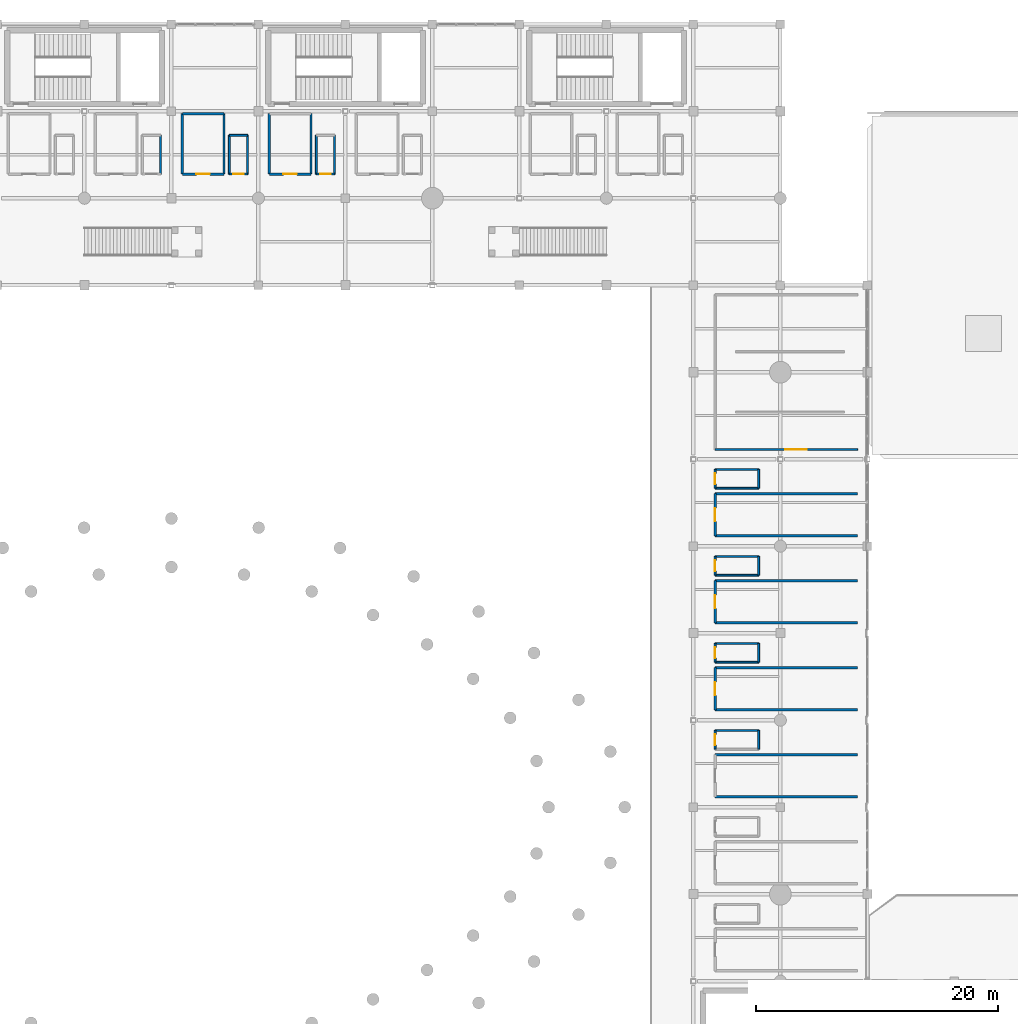
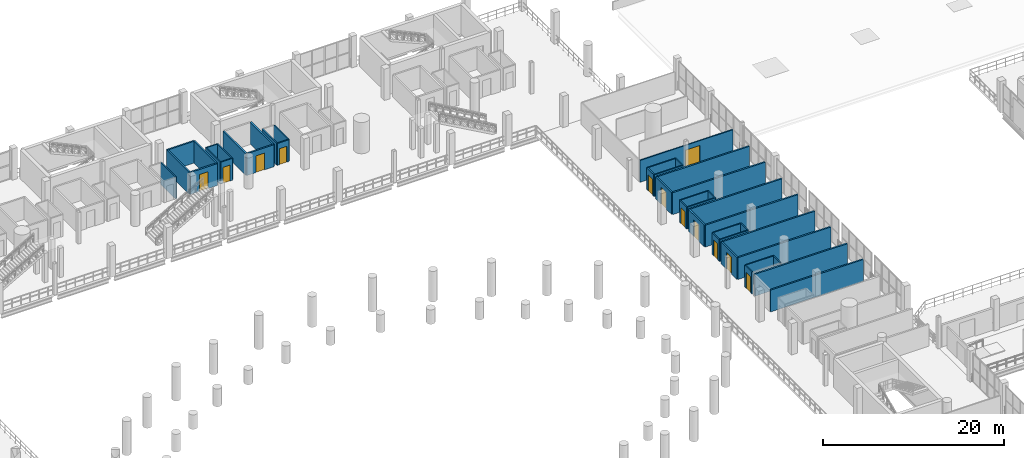
# One storey, part 109 of 130: 42 walls, 12 doors, 12 openings.
"""IFC4 building model written with IfcOpenShell, lengths in metres."""

import ifcopenshell
import ifcopenshell.guid

model = None  # the IFC model being written
_history = None  # IfcOwnerHistory: only IFC2X3 demands one
_inside = {}  # id of a spatial element -> (the spatial element, [elements in it])
_under = {}  # id of a project, library or spatial element -> (it, [spatial elements below it])
_declared = {}  # id of a project -> (the project, [libraries it declares])
_typed = {}  # id of a type object -> (the type object, [elements of that type])
_made_of = {}  # id of a material, layer set ... -> (it, [elements and type objects made of it])


def new_model(schema):
    """Start an empty IFC model of exactly this schema.

    Asked for "IFC4X3", IfcOpenShell would pick the latest addendum, in which some entities
    have other attributes; the version numbers below select the first issue.
    IFC2X3 requires an IfcOwnerHistory on every rooted entity: one is made here for all.
    """
    global model, _history
    if schema == "IFC4X3":
        model = ifcopenshell.file(schema_version=(4, 3, 0, 0))
    else:
        model = ifcopenshell.file(schema=schema)
    _inside.clear()
    _under.clear()
    _declared.clear()
    _typed.clear()
    _made_of.clear()
    _history = None
    if model.schema == "IFC2X3":
        org = make("IfcOrganization", Name="unknown")
        user = make(
            "IfcPersonAndOrganization",
            ThePerson=make("IfcPerson", FamilyName="unknown"),
            TheOrganization=org,
        )
        app = make(
            "IfcApplication",
            ApplicationDeveloper=org,
            Version="unknown",
            ApplicationFullName="unknown",
            ApplicationIdentifier="unknown",
        )
        _history = make(
            "IfcOwnerHistory",
            OwningUser=user,
            OwningApplication=app,
            ChangeAction="ADDED",
            CreationDate=0,
        )
    return model


def make(cls, **values):
    """One entity of the class cls with the attributes given. An attribute that is None is left unset."""
    return model.create_entity(
        cls, **{name: value for name, value in values.items() if value is not None}
    )


def rooted(cls, **values):
    """An entity with a GlobalId (a new one), such as an element, a storey or a relation."""
    return make(cls, GlobalId=ifcopenshell.guid.new(), OwnerHistory=_history, **values)


def si_unit(unit_type, name, prefix=None):
    """IfcSIUnit, for example si_unit("LENGTHUNIT", "METRE", prefix="MILLI")."""
    return make("IfcSIUnit", UnitType=unit_type, Prefix=prefix, Name=name)


def assignment(units):
    """IfcUnitAssignment: the units of a project."""
    return None if units is None else make("IfcUnitAssignment", Units=units)


def point(xyz):
    """IfcCartesianPoint."""
    return None if xyz is None else make("IfcCartesianPoint", Coordinates=xyz)


def direction(xyz):
    """IfcDirection."""
    return None if xyz is None else make("IfcDirection", DirectionRatios=xyz)


def frame(location, z_axis=None, x_axis=None):
    """IfcAxis2Placement3D, a coordinate frame: its origin and axes. An axis left out is left unset."""
    return make(
        "IfcAxis2Placement3D",
        Location=point(location),
        Axis=direction(z_axis),
        RefDirection=direction(x_axis),
    )


def frame_2d(location, x_axis=None):
    """IfcAxis2Placement2D, a coordinate frame in the plane: its origin and x axis."""
    return make(
        "IfcAxis2Placement2D", Location=point(location), RefDirection=direction(x_axis)
    )


def origin():
    """The frame at (0, 0, 0) with its axes left unset."""
    return frame((0.0, 0.0, 0.0))


def place(relative_to, where):
    """IfcLocalPlacement: puts the frame where relative to a parent placement (None: the world)."""
    return make(
        "IfcLocalPlacement", PlacementRelTo=relative_to, RelativePlacement=where
    )


def context(
    kind, dimensions, precision=None, world=None, true_north=None, identifier=None
):
    """IfcGeometricRepresentationContext, for example the 3D "Model" context."""
    return make(
        "IfcGeometricRepresentationContext",
        ContextIdentifier=identifier,
        ContextType=kind,
        CoordinateSpaceDimension=dimensions,
        Precision=precision,
        WorldCoordinateSystem=world,
        TrueNorth=true_north,
    )


def subcontext(parent, identifier, kind, view, scale=None):
    """IfcGeometricRepresentationSubContext, for example "Body" below "Model"."""
    return make(
        "IfcGeometricRepresentationSubContext",
        ContextIdentifier=identifier,
        ContextType=kind,
        ParentContext=parent,
        TargetScale=scale,
        TargetView=view,
    )


def project(units=None, contexts=None):
    """IfcProject with its units and contexts."""
    return rooted(
        "IfcProject",
        Name="project",
        RepresentationContexts=contexts,
        UnitsInContext=assignment(units),
    )


def spatial(cls, under=None, at=None, **own):
    """A site, building, storey or space (cls), placed at a placement, below another one or the project."""
    s = rooted(cls, ObjectPlacement=at, **own)
    if under is not None:
        _under.setdefault(under.id(), (under, []))[1].append(s)
    return s


def profile(cls, at=None, kind="AREA", **sizes):
    """A parametric profile (cls). Its sizes go by their IFC names, for example OverallWidth=200.0."""
    return make(cls, ProfileType=kind, Position=at, **sizes)


def rectangle(**sizes):
    """IfcRectangleProfileDef."""
    return profile("IfcRectangleProfileDef", **sizes)


def extrude(swept, where, along, depth):
    """IfcExtrudedAreaSolid: the profile swept, set in the frame where, extruded along a direction by depth."""
    return make(
        "IfcExtrudedAreaSolid",
        SweptArea=swept,
        Position=where,
        ExtrudedDirection=direction(along),
        Depth=depth,
    )


def shape(context_of_items, identifier, shape_type, items):
    """IfcShapeRepresentation: the items that make up one representation, for example the "Body"."""
    return make(
        "IfcShapeRepresentation",
        ContextOfItems=context_of_items,
        RepresentationIdentifier=identifier,
        RepresentationType=shape_type,
        Items=items,
    )


def material(Name=None, Category=None):
    """IfcMaterial."""
    return make("IfcMaterial", Name=Name, Category=Category)


def layer(
    of_material, thickness, ventilated=None, Name=None, Category=None, Priority=None
):
    """IfcMaterialLayer: one layer of a wall or slab, of a material (None: an air gap)."""
    return make(
        "IfcMaterialLayer",
        Material=of_material,
        LayerThickness=thickness,
        IsVentilated=ventilated,
        Name=Name,
        Category=Category,
        Priority=Priority,
    )


def layer_set(layers, Name=None):
    """IfcMaterialLayerSet."""
    return make("IfcMaterialLayerSet", MaterialLayers=layers, LayerSetName=Name)


def made_of(thing, what):
    """Note that an element or type object is made of a material, layer set ...; save() writes the relation."""
    if what is not None:
        _made_of.setdefault(what.id(), (what, []))[1].append(thing)
    return thing


def type_object(cls, material=None, **own):
    """A type object (cls), such as IfcWallType, which elements share."""
    return made_of(rooted(cls, **own), material)


def element(
    cls,
    number,
    at=None,
    inside=None,
    cuts=None,
    type_object=None,
    material=None,
    context=None,
    identifier="Body",
    shape_type=None,
    held_by="IfcProductDefinitionShape",
    body=None,
    shapes=None,
    **own,
):
    """One element of the class cls, such as IfcWall. Its Tag is "e" and its number.

    at: its placement. inside: the storey or other place that contains it. cuts: it is an
    opening in that element (IfcRelVoidsElement). A single representation is given by context,
    identifier, shape_type and body (its items); several are given by shapes. held_by: the class
    of the entity that holds the representations. save() writes the other relations.
    """
    e = rooted(cls, Tag="e%d" % number, ObjectPlacement=at, **own)
    if body is not None:
        shapes = [shape(context, identifier, shape_type, body)]
    if shapes is not None:
        e.Representation = make(held_by, Representations=shapes)
    if inside is not None:
        _inside.setdefault(inside.id(), (inside, []))[1].append(e)
    if cuts is not None:
        rooted(
            "IfcRelVoidsElement", RelatingBuildingElement=cuts, RelatedOpeningElement=e
        )
    if type_object is not None:
        _typed.setdefault(type_object.id(), (type_object, []))[1].append(e)
    return made_of(e, material)


def fill(opening, filler):
    """IfcRelFillsElement: the door or window that sits in an opening."""
    return rooted(
        "IfcRelFillsElement",
        RelatingOpeningElement=opening,
        RelatedBuildingElement=filler,
    )


def aggregate(whole, parts):
    """IfcRelAggregates: a whole, such as a stair, and the parts it consists of."""
    return rooted("IfcRelAggregates", RelatingObject=whole, RelatedObjects=parts)


def save(model, path):
    """Write the relations noted so far, then the file.

    IfcRelAggregates (storeys below a building ...), IfcRelContainedInSpatialStructure (elements
    in a storey), IfcRelDefinesByType, IfcRelAssociatesMaterial and IfcRelDeclares: one each for
    every whole, place, type object, material and project.
    """
    for whole, parts in _under.values():
        aggregate(whole, parts)
    for where, things in _inside.values():
        rooted(
            "IfcRelContainedInSpatialStructure",
            RelatedElements=things,
            RelatingStructure=where,
        )
    for kind, things in _typed.values():
        rooted("IfcRelDefinesByType", RelatedObjects=things, RelatingType=kind)
    for what, things in _made_of.values():
        rooted("IfcRelAssociatesMaterial", RelatedObjects=things, RelatingMaterial=what)
    for by, libraries in _declared.values():
        rooted("IfcRelDeclares", RelatingContext=by, RelatedDefinitions=libraries)
    model.write(path)


model = new_model("IFC4")

# Units and contexts
model_context = context("Model", 3, precision=1e-05, world=origin(), true_north=direction((0.0, 1.0)))
body_context = subcontext(model_context, "Body", "Model", "MODEL_VIEW")
ifc_project = project(units=[si_unit("LENGTHUNIT", "METRE"), si_unit("AREAUNIT", "SQUARE_METRE"), si_unit("VOLUMEUNIT", "CUBIC_METRE"), si_unit("PLANEANGLEUNIT", "RADIAN"), si_unit("MASSUNIT", "GRAM", prefix="KILO")], contexts=[model_context])

# Site, building, storey
site_placement = place(None, origin())
site = spatial("IfcSite", under=ifc_project, at=site_placement, CompositionType="ELEMENT")
building_placement = place(site_placement, origin())
building = spatial("IfcBuilding", under=site, at=building_placement, Name="Qandorah Velis Arena", CompositionType="ELEMENT")
storey_placement = place(building_placement, frame((0.0, 0.0, 9.60009765625)))
storey = spatial("IfcBuildingStorey", under=building, at=storey_placement, Name="L02", CompositionType="ELEMENT", Elevation=9.60009765625)

# Wall, opening, door
ifc_material_1 = material(Name="Concrete C35/45", Category="concrete")
ifc_layer_1 = layer(ifc_material_1, 0.199951171875)
ifc_layer_set_1 = layer_set([ifc_layer_1], Name="Concrete C35/45")
wall_type_1 = type_object("IfcWallType", Name="ARC-WAL-FD60-200", PredefinedType="PARTITIONING", material=ifc_layer_set_1)
wall_1_placement = place(storey_placement, frame((65.699951171875, 117.199951171875, 0.0), z_axis=(0.0, 0.0, 1.0), x_axis=(1.0, 0.0, 0.0)))
wall_1 = element("IfcWall", 1, at=wall_1_placement, inside=storey, type_object=wall_type_1, Name="Interior partition L02-HS-22 (S)", PredefinedType="PARTITIONING", context=body_context, shape_type="SweptSolid", body=[
    extrude(rectangle(XDim=3.449951171875, YDim=0.199951171875, at=frame_2d((1.72509765625, 0.0))), origin(), (0.0, 0.0, 1.0), 2.93994140625),
])
opening_1_placement = place(wall_1_placement, frame((1.175048828125, 0.0, 0.0)))
opening_1 = element("IfcOpeningElement", 2, at=opening_1_placement, cuts=wall_1, Name="Opening D7", PredefinedType="OPENING", context=body_context, shape_type="SweptSolid", body=[
    extrude(rectangle(XDim=1.10009765625, YDim=2.25, at=frame_2d((0.550048828125, 1.125))), frame((0.0, 0.10986328125, 0.0), z_axis=(0.0, -1.0, 0.0), x_axis=(1.0, 0.0, 0.0)), (0.0, 0.0, 1.0), 0.219970703125),
])
ifc_material_2 = material(Name="Hospitality suite acoustic walnut door")
door_type_1 = type_object("IfcDoorType", Name="ARC-DR-INT1100", OperationType="NOTDEFINED", PredefinedType="DOOR", material=ifc_material_2)
door_1_placement = place(opening_1_placement, origin())
door_1 = element("IfcDoor", 3, at=door_1_placement, inside=storey, type_object=door_type_1, Name="Door L02-HS-22", OperationType="SINGLE_SWING_LEFT", OverallHeight=2.25, OverallWidth=1.10009765625, PredefinedType="DOOR", context=body_context, shape_type="SweptSolid", body=[
    extrude(rectangle(XDim=1.10009765625, YDim=2.25, at=frame_2d((0.550048828125, 1.125))), frame((0.0, 0.02490234375, 0.0), z_axis=(0.0, -1.0, 0.0), x_axis=(1.0, 0.0, 0.0)), (0.0, 0.0, 1.0), 0.050048828125),
])
fill(opening_1, door_1)

# Walls
wall_2_placement = place(storey_placement, frame((69.14990234375, 117.199951171875, 0.0), z_axis=(0.0, 0.0, 1.0), x_axis=(0.0, 1.0, 0.0)))
element("IfcWall", 4, at=wall_2_placement, inside=storey, type_object=wall_type_1, Name="Interior partition L02-HS-22 (E)", PredefinedType="PARTITIONING", context=body_context, shape_type="SweptSolid", body=[
    extrude(rectangle(XDim=5.0, YDim=0.199951171875, at=frame_2d((2.5, 0.0))), origin(), (0.0, 0.0, 1.0), 2.93994140625),
])
wall_3_placement = place(storey_placement, frame((69.14990234375, 122.199951171875, 0.0), z_axis=(0.0, 0.0, 1.0), x_axis=(-1.0, 0.0, 0.0)))
element("IfcWall", 5, at=wall_3_placement, inside=storey, type_object=wall_type_1, Name="Interior partition L02-HS-22 (N)", PredefinedType="PARTITIONING", context=body_context, shape_type="SweptSolid", body=[
    extrude(rectangle(XDim=3.449951171875, YDim=0.199951171875, at=frame_2d((1.72509765625, 0.0))), origin(), (0.0, 0.0, 1.0), 2.93994140625),
])
wall_4_placement = place(storey_placement, frame((65.699951171875, 122.199951171875, 0.0), z_axis=(0.0, 0.0, 1.0), x_axis=(0.0, -1.0, 0.0)))
element("IfcWall", 6, at=wall_4_placement, inside=storey, type_object=wall_type_1, Name="Interior partition L02-HS-22 (W)", PredefinedType="PARTITIONING", context=body_context, shape_type="SweptSolid", body=[
    extrude(rectangle(XDim=5.0, YDim=0.199951171875, at=frame_2d((2.5, 0.0))), origin(), (0.0, 0.0, 1.0), 2.93994140625),
])

# Wall, opening, door
wall_5_placement = place(storey_placement, frame((72.89990234375, 117.199951171875, 0.0), z_axis=(0.0, 0.0, 1.0), x_axis=(1.0, 0.0, 0.0)))
wall_5 = element("IfcWall", 7, at=wall_5_placement, inside=storey, type_object=wall_type_1, Name="Interior partition L02-HS-23 (S)", PredefinedType="PARTITIONING", context=body_context, shape_type="SweptSolid", body=[
    extrude(rectangle(XDim=3.4501953125, YDim=0.199951171875, at=frame_2d((1.72509765625, 0.0))), origin(), (0.0, 0.0, 1.0), 2.93994140625),
])
opening_2_placement = place(wall_5_placement, frame((1.175048828125, 0.0, 0.0)))
opening_2 = element("IfcOpeningElement", 8, at=opening_2_placement, cuts=wall_5, Name="Opening D7", PredefinedType="OPENING", context=body_context, shape_type="SweptSolid", body=[
    extrude(rectangle(XDim=1.10009765625, YDim=2.25, at=frame_2d((0.550048828125, 1.125))), frame((0.0, 0.10986328125, 0.0), z_axis=(0.0, -1.0, 0.0), x_axis=(1.0, 0.0, 0.0)), (0.0, 0.0, 1.0), 0.219970703125),
])
door_2_placement = place(opening_2_placement, origin())
door_2 = element("IfcDoor", 9, at=door_2_placement, inside=storey, type_object=door_type_1, Name="Door L02-HS-23", OperationType="SINGLE_SWING_LEFT", OverallHeight=2.25, OverallWidth=1.10009765625, PredefinedType="DOOR", context=body_context, shape_type="SweptSolid", body=[
    extrude(rectangle(XDim=1.10009765625, YDim=2.25, at=frame_2d((0.550048828125, 1.125))), frame((0.0, 0.02490234375, 0.0), z_axis=(0.0, -1.0, 0.0), x_axis=(1.0, 0.0, 0.0)), (0.0, 0.0, 1.0), 0.050048828125),
])
fill(opening_2, door_2)

# Walls
for number, where, z_axis, x_axis, name in (
    (10, (76.35009765625, 117.199951171875, 0.0), (0.0, 0.0, 1.0), (0.0, 1.0, 0.0), "Interior partition L02-HS-23 (E)"),
    (11, (72.89990234375, 122.199951171875, 0.0), (0.0, 0.0, 1.0), (0.0, -1.0, 0.0), "Interior partition L02-HS-23 (W)"),
):
    element("IfcWall", number, at=place(storey_placement, frame(where, z_axis=z_axis, x_axis=x_axis)), inside=storey, type_object=wall_type_1, Name=name, PredefinedType="PARTITIONING", context=body_context, shape_type="SweptSolid", body=[
        extrude(rectangle(XDim=5.0, YDim=0.199951171875, at=frame_2d((2.5, 0.0))), origin(), (0.0, 0.0, 1.0), 2.93994140625),
    ])
for number, where, z_axis, x_axis, name in (
    (12, (109.800048828125, 65.64990234375, 0.0), (0.0, 0.0, 1.0), (1.0, 0.0, 0.0), "Interior partition L02-HS-29 (S)"),
    (13, (121.60009765625, 69.14990234375, 0.0), (0.0, 0.0, 1.0), (-1.0, 0.0, 0.0), "Interior partition L02-HS-29 (N)"),
    (14, (109.800048828125, 72.85009765625, 0.0), (0.0, 0.0, 1.0), (1.0, 0.0, 0.0), "Interior partition L02-HS-30 (S)"),
    (15, (121.60009765625, 76.35009765625, 0.0), (0.0, 0.0, 1.0), (-1.0, 0.0, 0.0), "Interior partition L02-HS-30 (N)"),
):
    element("IfcWall", number, at=place(storey_placement, frame(where, z_axis=z_axis, x_axis=x_axis)), inside=storey, type_object=wall_type_1, Name=name, PredefinedType="PARTITIONING", context=body_context, shape_type="SweptSolid", body=[
        extrude(rectangle(XDim=11.800048828125, YDim=0.199951171875, at=frame_2d((5.89990234375, 0.0))), origin(), (0.0, 0.0, 1.0), 2.93994140625),
    ])

# Wall, opening, door
wall_6_placement = place(storey_placement, frame((109.800048828125, 76.35009765625, 0.0), z_axis=(0.0, 0.0, 1.0), x_axis=(0.0, -1.0, 0.0)))
wall_6 = element("IfcWall", 16, at=wall_6_placement, inside=storey, type_object=wall_type_1, Name="Interior partition L02-HS-30 (W)", PredefinedType="PARTITIONING", context=body_context, shape_type="SweptSolid", body=[
    extrude(rectangle(XDim=3.5, YDim=0.199951171875, at=frame_2d((1.75, 0.0))), origin(), (0.0, 0.0, 1.0), 2.93994140625),
])
opening_3_placement = place(wall_6_placement, frame((1.199951171875, 0.0, 0.0)))
opening_3 = element("IfcOpeningElement", 17, at=opening_3_placement, cuts=wall_6, Name="Opening D7", PredefinedType="OPENING", context=body_context, shape_type="SweptSolid", body=[
    extrude(rectangle(XDim=1.10009765625, YDim=2.25, at=frame_2d((0.550048828125, 1.125))), frame((0.0, 0.10986328125, 0.0), z_axis=(0.0, -1.0, 0.0), x_axis=(1.0, 0.0, 0.0)), (0.0, 0.0, 1.0), 0.219970703125),
])
door_3_placement = place(opening_3_placement, origin())
door_3 = element("IfcDoor", 18, at=door_3_placement, inside=storey, type_object=door_type_1, Name="Door L02-HS-30", OperationType="SINGLE_SWING_LEFT", OverallHeight=2.25, OverallWidth=1.10009765625, PredefinedType="DOOR", context=body_context, shape_type="SweptSolid", body=[
    extrude(rectangle(XDim=1.10009765625, YDim=2.25, at=frame_2d((0.550048828125, 1.125))), frame((0.0, 0.02490234375, 0.0), z_axis=(0.0, -1.0, 0.0), x_axis=(1.0, 0.0, 0.0)), (0.0, 0.0, 1.0), 0.050048828125),
])
fill(opening_3, door_3)

# Walls
for number, where, z_axis, x_axis, name in (
    (19, (109.800048828125, 80.050048828125, 0.0), (0.0, 0.0, 1.0), (1.0, 0.0, 0.0), "Interior partition L02-HS-31 (S)"),
    (20, (121.60009765625, 83.550048828125, 0.0), (0.0, 0.0, 1.0), (-1.0, 0.0, 0.0), "Interior partition L02-HS-31 (N)"),
):
    element("IfcWall", number, at=place(storey_placement, frame(where, z_axis=z_axis, x_axis=x_axis)), inside=storey, type_object=wall_type_1, Name=name, PredefinedType="PARTITIONING", context=body_context, shape_type="SweptSolid", body=[
        extrude(rectangle(XDim=11.800048828125, YDim=0.199951171875, at=frame_2d((5.89990234375, 0.0))), origin(), (0.0, 0.0, 1.0), 2.93994140625),
    ])

# Wall, opening, door
wall_7_placement = place(storey_placement, frame((109.800048828125, 83.550048828125, 0.0), z_axis=(0.0, 0.0, 1.0), x_axis=(0.0, -1.0, 0.0)))
wall_7 = element("IfcWall", 21, at=wall_7_placement, inside=storey, type_object=wall_type_1, Name="Interior partition L02-HS-31 (W)", PredefinedType="PARTITIONING", context=body_context, shape_type="SweptSolid", body=[
    extrude(rectangle(XDim=3.5, YDim=0.199951171875, at=frame_2d((1.75, 0.0))), origin(), (0.0, 0.0, 1.0), 2.93994140625),
])
opening_4_placement = place(wall_7_placement, frame((1.199951171875, 0.0, 0.0)))
opening_4 = element("IfcOpeningElement", 22, at=opening_4_placement, cuts=wall_7, Name="Opening D7", PredefinedType="OPENING", context=body_context, shape_type="SweptSolid", body=[
    extrude(rectangle(XDim=1.10009765625, YDim=2.25, at=frame_2d((0.550048828125, 1.125))), frame((0.0, 0.10986328125, 0.0), z_axis=(0.0, -1.0, 0.0), x_axis=(1.0, 0.0, 0.0)), (0.0, 0.0, 1.0), 0.219970703125),
])
door_4_placement = place(opening_4_placement, origin())
door_4 = element("IfcDoor", 23, at=door_4_placement, inside=storey, type_object=door_type_1, Name="Door L02-HS-31", OperationType="SINGLE_SWING_LEFT", OverallHeight=2.25, OverallWidth=1.10009765625, PredefinedType="DOOR", context=body_context, shape_type="SweptSolid", body=[
    extrude(rectangle(XDim=1.10009765625, YDim=2.25, at=frame_2d((0.550048828125, 1.125))), frame((0.0, 0.02490234375, 0.0), z_axis=(0.0, -1.0, 0.0), x_axis=(1.0, 0.0, 0.0)), (0.0, 0.0, 1.0), 0.050048828125),
])
fill(opening_4, door_4)

# Walls
for number, where, z_axis, x_axis, name in (
    (24, (109.800048828125, 87.25, 0.0), (0.0, 0.0, 1.0), (1.0, 0.0, 0.0), "Interior partition L02-HS-32 (S)"),
    (25, (121.60009765625, 90.75, 0.0), (0.0, 0.0, 1.0), (-1.0, 0.0, 0.0), "Interior partition L02-HS-32 (N)"),
):
    element("IfcWall", number, at=place(storey_placement, frame(where, z_axis=z_axis, x_axis=x_axis)), inside=storey, type_object=wall_type_1, Name=name, PredefinedType="PARTITIONING", context=body_context, shape_type="SweptSolid", body=[
        extrude(rectangle(XDim=11.800048828125, YDim=0.199951171875, at=frame_2d((5.89990234375, 0.0))), origin(), (0.0, 0.0, 1.0), 2.93994140625),
    ])

# Wall, opening, door
wall_8_placement = place(storey_placement, frame((109.800048828125, 90.75, 0.0), z_axis=(0.0, 0.0, 1.0), x_axis=(0.0, -1.0, 0.0)))
wall_8 = element("IfcWall", 26, at=wall_8_placement, inside=storey, type_object=wall_type_1, Name="Interior partition L02-HS-32 (W)", PredefinedType="PARTITIONING", context=body_context, shape_type="SweptSolid", body=[
    extrude(rectangle(XDim=3.5, YDim=0.199951171875, at=frame_2d((1.75, 0.0))), origin(), (0.0, 0.0, 1.0), 2.93994140625),
])
opening_5_placement = place(wall_8_placement, frame((1.199951171875, 0.0, 0.0)))
opening_5 = element("IfcOpeningElement", 27, at=opening_5_placement, cuts=wall_8, Name="Opening D7", PredefinedType="OPENING", context=body_context, shape_type="SweptSolid", body=[
    extrude(rectangle(XDim=1.10009765625, YDim=2.25, at=frame_2d((0.550048828125, 1.125))), frame((0.0, 0.10986328125, 0.0), z_axis=(0.0, -1.0, 0.0), x_axis=(1.0, 0.0, 0.0)), (0.0, 0.0, 1.0), 0.219970703125),
])
door_5_placement = place(opening_5_placement, origin())
door_5 = element("IfcDoor", 28, at=door_5_placement, inside=storey, type_object=door_type_1, Name="Door L02-HS-32", OperationType="SINGLE_SWING_LEFT", OverallHeight=2.25, OverallWidth=1.10009765625, PredefinedType="DOOR", context=body_context, shape_type="SweptSolid", body=[
    extrude(rectangle(XDim=1.10009765625, YDim=2.25, at=frame_2d((0.550048828125, 1.125))), frame((0.0, 0.02490234375, 0.0), z_axis=(0.0, -1.0, 0.0), x_axis=(1.0, 0.0, 0.0)), (0.0, 0.0, 1.0), 0.050048828125),
])
fill(opening_5, door_5)

ifc_layer_2 = layer(ifc_material_1, 0.14990234375)
ifc_layer_set_2 = layer_set([ifc_layer_2], Name="Concrete C35/45")
wall_type_2 = type_object("IfcWallType", Name="ARC-WAL-PART150", PredefinedType="PARTITIONING", material=ifc_layer_set_2)
wall_9_placement = place(storey_placement, frame((109.800048828125, 94.39990234375, 0.0), z_axis=(0.0, 0.0, 1.0), x_axis=(1.0, 0.0, 0.0)))
wall_9 = element("IfcWall", 29, at=wall_9_placement, inside=storey, type_object=wall_type_2, Name="Interior partition L02-EAST-BANQ (S)", PredefinedType="PARTITIONING", context=body_context, shape_type="SweptSolid", body=[
    extrude(rectangle(XDim=11.800048828125, YDim=0.14990234375, at=frame_2d((5.89990234375, 0.0))), origin(), (0.0, 0.0, 1.0), 2.93994140625),
])
opening_6_placement = place(wall_9_placement, frame((5.800048828125, 0.0, 0.0)))
opening_6 = element("IfcOpeningElement", 30, at=opening_6_placement, cuts=wall_9, Name="Opening D3", PredefinedType="OPENING", context=body_context, shape_type="SweptSolid", body=[
    extrude(rectangle(XDim=1.800048828125, YDim=2.300048828125, at=frame_2d((0.89990234375, 1.14990234375))), frame((0.0, 0.0849609375, 0.0), z_axis=(0.0, -1.0, 0.0), x_axis=(1.0, 0.0, 0.0)), (0.0, 0.0, 1.0), 0.169921875),
])
ifc_material_3 = material(Name="Double-leaf acoustic timber door", Category="wood")
door_type_2 = type_object("IfcDoorType", Name="ARC-DR-DBL1800", OperationType="NOTDEFINED", PredefinedType="DOOR", material=ifc_material_3)
door_6_placement = place(opening_6_placement, frame((1.800048828125, 0.0, 0.0), z_axis=(0.0, 0.0, 1.0), x_axis=(-1.0, 0.0, 0.0)))
door_6 = element("IfcDoor", 31, at=door_6_placement, inside=storey, type_object=door_type_2, Name="Door L02-EAST-BANQ", OperationType="DOUBLE_DOOR_SINGLE_SWING", OverallHeight=2.300048828125, OverallWidth=1.800048828125, PredefinedType="DOOR", context=body_context, shape_type="SweptSolid", body=[
    extrude(rectangle(XDim=1.800048828125, YDim=2.300048828125, at=frame_2d((0.89990234375, 1.14990234375))), frame((0.0, 0.02490234375, 0.0), z_axis=(0.0, -1.0, 0.0), x_axis=(1.0, 0.0, 0.0)), (0.0, 0.0, 1.0), 0.050048828125),
])
fill(opening_6, door_6)

# Wall
wall_10_placement = place(storey_placement, frame((63.89990234375, 117.199951171875, 0.0), z_axis=(0.0, 0.0, 1.0), x_axis=(0.0, 1.0, 0.0)))
element("IfcWall", 32, at=wall_10_placement, inside=storey, type_object=wall_type_2, Name="Interior partition L02-HSWC-21 (E)", PredefinedType="PARTITIONING", context=body_context, shape_type="SweptSolid", body=[
    extrude(rectangle(XDim=3.199951171875, YDim=0.14990234375, at=frame_2d((1.60009765625, 0.0))), origin(), (0.0, 0.0, 1.0), 2.93994140625),
])

# Wall, opening, door
wall_11_placement = place(storey_placement, frame((69.60009765625, 117.199951171875, 0.0), z_axis=(0.0, 0.0, 1.0), x_axis=(1.0, 0.0, 0.0)))
wall_11 = element("IfcWall", 33, at=wall_11_placement, inside=storey, type_object=wall_type_2, Name="Interior partition L02-HSWC-22 (S)", PredefinedType="PARTITIONING", context=body_context, shape_type="SweptSolid", body=[
    extrude(rectangle(XDim=1.5, YDim=0.14990234375, at=frame_2d((0.75, 0.0))), origin(), (0.0, 0.0, 1.0), 2.93994140625),
])
opening_7_placement = place(wall_11_placement, frame((0.300048828125, 0.0, 0.0)))
opening_7 = element("IfcOpeningElement", 34, at=opening_7_placement, cuts=wall_11, Name="Opening D8", PredefinedType="OPENING", context=body_context, shape_type="SweptSolid", body=[
    extrude(rectangle(XDim=0.89990234375, YDim=2.14990234375, at=frame_2d((0.449951171875, 1.074951171875))), frame((0.0, 0.0849609375, 0.0), z_axis=(0.0, -1.0, 0.0), x_axis=(1.0, 0.0, 0.0)), (0.0, 0.0, 1.0), 0.169921875),
])
ifc_material_4 = material(Name="Suite en-suite walnut door")
door_type_3 = type_object("IfcDoorType", Name="ARC-DR-WC900", OperationType="NOTDEFINED", PredefinedType="DOOR", material=ifc_material_4)
door_7_placement = place(opening_7_placement, frame((0.89990234375, 0.0, 0.0), z_axis=(0.0, 0.0, 1.0), x_axis=(-1.0, 0.0, 0.0)))
door_7 = element("IfcDoor", 35, at=door_7_placement, inside=storey, type_object=door_type_3, Name="Door L02-HSWC-22", OperationType="SINGLE_SWING_RIGHT", OverallHeight=2.14990234375, OverallWidth=0.89990234375, PredefinedType="DOOR", context=body_context, shape_type="SweptSolid", body=[
    extrude(rectangle(XDim=0.89990234375, YDim=2.14990234375, at=frame_2d((0.449951171875, 1.074951171875))), frame((0.0, 0.02490234375, 0.0), z_axis=(0.0, -1.0, 0.0), x_axis=(1.0, 0.0, 0.0)), (0.0, 0.0, 1.0), 0.050048828125),
])
fill(opening_7, door_7)

# Walls
wall_12_placement = place(storey_placement, frame((71.10009765625, 117.199951171875, 0.0), z_axis=(0.0, 0.0, 1.0), x_axis=(0.0, 1.0, 0.0)))
element("IfcWall", 36, at=wall_12_placement, inside=storey, type_object=wall_type_2, Name="Interior partition L02-HSWC-22 (E)", PredefinedType="PARTITIONING", context=body_context, shape_type="SweptSolid", body=[
    extrude(rectangle(XDim=3.199951171875, YDim=0.14990234375, at=frame_2d((1.60009765625, 0.0))), origin(), (0.0, 0.0, 1.0), 2.93994140625),
])
wall_13_placement = place(storey_placement, frame((71.10009765625, 120.39990234375, 0.0), z_axis=(0.0, 0.0, 1.0), x_axis=(-1.0, 0.0, 0.0)))
element("IfcWall", 37, at=wall_13_placement, inside=storey, type_object=wall_type_2, Name="Interior partition L02-HSWC-22 (N)", PredefinedType="PARTITIONING", context=body_context, shape_type="SweptSolid", body=[
    extrude(rectangle(XDim=1.5, YDim=0.14990234375, at=frame_2d((0.75, 0.0))), origin(), (0.0, 0.0, 1.0), 2.93994140625),
])
wall_14_placement = place(storey_placement, frame((69.60009765625, 120.39990234375, 0.0), z_axis=(0.0, 0.0, 1.0), x_axis=(0.0, -1.0, 0.0)))
element("IfcWall", 38, at=wall_14_placement, inside=storey, type_object=wall_type_2, Name="Interior partition L02-HSWC-22 (W)", PredefinedType="PARTITIONING", context=body_context, shape_type="SweptSolid", body=[
    extrude(rectangle(XDim=3.199951171875, YDim=0.14990234375, at=frame_2d((1.60009765625, 0.0))), origin(), (0.0, 0.0, 1.0), 2.93994140625),
])

# Wall, opening, door
wall_15_placement = place(storey_placement, frame((76.800048828125, 117.199951171875, 0.0), z_axis=(0.0, 0.0, 1.0), x_axis=(1.0, 0.0, 0.0)))
wall_15 = element("IfcWall", 39, at=wall_15_placement, inside=storey, type_object=wall_type_2, Name="Interior partition L02-HSWC-23 (S)", PredefinedType="PARTITIONING", context=body_context, shape_type="SweptSolid", body=[
    extrude(rectangle(XDim=1.5, YDim=0.14990234375, at=frame_2d((0.75, 0.0))), origin(), (0.0, 0.0, 1.0), 2.93994140625),
])
opening_8_placement = place(wall_15_placement, frame((0.300048828125, 0.0, 0.0)))
opening_8 = element("IfcOpeningElement", 40, at=opening_8_placement, cuts=wall_15, Name="Opening D8", PredefinedType="OPENING", context=body_context, shape_type="SweptSolid", body=[
    extrude(rectangle(XDim=0.89990234375, YDim=2.14990234375, at=frame_2d((0.449951171875, 1.074951171875))), frame((0.0, 0.0849609375, 0.0), z_axis=(0.0, -1.0, 0.0), x_axis=(1.0, 0.0, 0.0)), (0.0, 0.0, 1.0), 0.169921875),
])
door_8_placement = place(opening_8_placement, frame((0.89990234375, 0.0, 0.0), z_axis=(0.0, 0.0, 1.0), x_axis=(-1.0, 0.0, 0.0)))
door_8 = element("IfcDoor", 41, at=door_8_placement, inside=storey, type_object=door_type_3, Name="Door L02-HSWC-23", OperationType="SINGLE_SWING_RIGHT", OverallHeight=2.14990234375, OverallWidth=0.89990234375, PredefinedType="DOOR", context=body_context, shape_type="SweptSolid", body=[
    extrude(rectangle(XDim=0.89990234375, YDim=2.14990234375, at=frame_2d((0.449951171875, 1.074951171875))), frame((0.0, 0.02490234375, 0.0), z_axis=(0.0, -1.0, 0.0), x_axis=(1.0, 0.0, 0.0)), (0.0, 0.0, 1.0), 0.050048828125),
])
fill(opening_8, door_8)

# Walls
for number, where, z_axis, x_axis, name in (
    (42, (78.300048828125, 117.199951171875, 0.0), (0.0, 0.0, 1.0), (0.0, 1.0, 0.0), "Interior partition L02-HSWC-23 (E)"),
    (43, (76.800048828125, 120.39990234375, 0.0), (0.0, 0.0, 1.0), (0.0, -1.0, 0.0), "Interior partition L02-HSWC-23 (W)"),
):
    element("IfcWall", number, at=place(storey_placement, frame(where, z_axis=z_axis, x_axis=x_axis)), inside=storey, type_object=wall_type_2, Name=name, PredefinedType="PARTITIONING", context=body_context, shape_type="SweptSolid", body=[
        extrude(rectangle(XDim=3.199951171875, YDim=0.14990234375, at=frame_2d((1.60009765625, 0.0))), origin(), (0.0, 0.0, 1.0), 2.93994140625),
    ])
wall_16_placement = place(storey_placement, frame((113.39990234375, 69.60009765625, 0.0), z_axis=(0.0, 0.0, 1.0), x_axis=(0.0, 1.0, 0.0)))
element("IfcWall", 44, at=wall_16_placement, inside=storey, type_object=wall_type_2, Name="Interior partition L02-HSWC-29 (E)", PredefinedType="PARTITIONING", context=body_context, shape_type="SweptSolid", body=[
    extrude(rectangle(XDim=1.5498046875, YDim=0.14990234375, at=frame_2d((0.77490234375, 0.0))), origin(), (0.0, 0.0, 1.0), 2.93994140625),
])
wall_17_placement = place(storey_placement, frame((113.39990234375, 71.14990234375, 0.0), z_axis=(0.0, 0.0, 1.0), x_axis=(-1.0, 0.0, 0.0)))
element("IfcWall", 45, at=wall_17_placement, inside=storey, type_object=wall_type_2, Name="Interior partition L02-HSWC-29 (N)", PredefinedType="PARTITIONING", context=body_context, shape_type="SweptSolid", body=[
    extrude(rectangle(XDim=3.599853515625, YDim=0.14990234375, at=frame_2d((1.7998046875, 0.0))), origin(), (0.0, 0.0, 1.0), 2.93994140625),
])

# Wall, opening, door
wall_18_placement = place(storey_placement, frame((109.800048828125, 71.14990234375, 0.0), z_axis=(0.0, 0.0, 1.0), x_axis=(0.0, -1.0, 0.0)))
wall_18 = element("IfcWall", 46, at=wall_18_placement, inside=storey, type_object=wall_type_2, Name="Interior partition L02-HSWC-29 (W)", PredefinedType="PARTITIONING", context=body_context, shape_type="SweptSolid", body=[
    extrude(rectangle(XDim=1.5498046875, YDim=0.14990234375, at=frame_2d((0.77490234375, 0.0))), origin(), (0.0, 0.0, 1.0), 2.93994140625),
])
opening_9_placement = place(wall_18_placement, frame((0.324951171875, 0.0, 0.0)))
opening_9 = element("IfcOpeningElement", 47, at=opening_9_placement, cuts=wall_18, Name="Opening D8", PredefinedType="OPENING", context=body_context, shape_type="SweptSolid", body=[
    extrude(rectangle(XDim=0.89990234375, YDim=2.14990234375, at=frame_2d((0.449951171875, 1.074951171875))), frame((0.0, 0.0849609375, 0.0), z_axis=(0.0, -1.0, 0.0), x_axis=(1.0, 0.0, 0.0)), (0.0, 0.0, 1.0), 0.169921875),
])
door_9_placement = place(opening_9_placement, frame((0.89990234375, 0.0, 0.0), z_axis=(0.0, 0.0, 1.0), x_axis=(-1.0, 0.0, 0.0)))
door_9 = element("IfcDoor", 48, at=door_9_placement, inside=storey, type_object=door_type_3, Name="Door L02-HSWC-29", OperationType="SINGLE_SWING_RIGHT", OverallHeight=2.14990234375, OverallWidth=0.89990234375, PredefinedType="DOOR", context=body_context, shape_type="SweptSolid", body=[
    extrude(rectangle(XDim=0.89990234375, YDim=2.14990234375, at=frame_2d((0.449951171875, 1.074951171875))), frame((0.0, 0.02490234375, 0.0), z_axis=(0.0, -1.0, 0.0), x_axis=(1.0, 0.0, 0.0)), (0.0, 0.0, 1.0), 0.050048828125),
])
fill(opening_9, door_9)

# Walls
wall_19_placement = place(storey_placement, frame((109.800048828125, 76.800048828125, 0.0), z_axis=(0.0, 0.0, 1.0), x_axis=(1.0, 0.0, 0.0)))
element("IfcWall", 49, at=wall_19_placement, inside=storey, type_object=wall_type_2, Name="Interior partition L02-HSWC-30 (S)", PredefinedType="PARTITIONING", context=body_context, shape_type="SweptSolid", body=[
    extrude(rectangle(XDim=3.599853515625, YDim=0.14990234375, at=frame_2d((1.7998046875, 0.0))), origin(), (0.0, 0.0, 1.0), 2.93994140625),
])
wall_20_placement = place(storey_placement, frame((113.39990234375, 76.800048828125, 0.0), z_axis=(0.0, 0.0, 1.0), x_axis=(0.0, 1.0, 0.0)))
element("IfcWall", 50, at=wall_20_placement, inside=storey, type_object=wall_type_2, Name="Interior partition L02-HSWC-30 (E)", PredefinedType="PARTITIONING", context=body_context, shape_type="SweptSolid", body=[
    extrude(rectangle(XDim=1.550048828125, YDim=0.14990234375, at=frame_2d((0.77490234375, 0.0))), origin(), (0.0, 0.0, 1.0), 2.93994140625),
])
wall_21_placement = place(storey_placement, frame((113.39990234375, 78.35009765625, 0.0), z_axis=(0.0, 0.0, 1.0), x_axis=(-1.0, 0.0, 0.0)))
element("IfcWall", 51, at=wall_21_placement, inside=storey, type_object=wall_type_2, Name="Interior partition L02-HSWC-30 (N)", PredefinedType="PARTITIONING", context=body_context, shape_type="SweptSolid", body=[
    extrude(rectangle(XDim=3.599853515625, YDim=0.14990234375, at=frame_2d((1.7998046875, 0.0))), origin(), (0.0, 0.0, 1.0), 2.93994140625),
])

# Wall, opening, door
wall_22_placement = place(storey_placement, frame((109.800048828125, 78.35009765625, 0.0), z_axis=(0.0, 0.0, 1.0), x_axis=(0.0, -1.0, 0.0)))
wall_22 = element("IfcWall", 52, at=wall_22_placement, inside=storey, type_object=wall_type_2, Name="Interior partition L02-HSWC-30 (W)", PredefinedType="PARTITIONING", context=body_context, shape_type="SweptSolid", body=[
    extrude(rectangle(XDim=1.550048828125, YDim=0.14990234375, at=frame_2d((0.77490234375, 0.0))), origin(), (0.0, 0.0, 1.0), 2.93994140625),
])
opening_10_placement = place(wall_22_placement, frame((0.324951171875, 0.0, 0.0)))
opening_10 = element("IfcOpeningElement", 53, at=opening_10_placement, cuts=wall_22, Name="Opening D8", PredefinedType="OPENING", context=body_context, shape_type="SweptSolid", body=[
    extrude(rectangle(XDim=0.89990234375, YDim=2.14990234375, at=frame_2d((0.449951171875, 1.074951171875))), frame((0.0, 0.0849609375, 0.0), z_axis=(0.0, -1.0, 0.0), x_axis=(1.0, 0.0, 0.0)), (0.0, 0.0, 1.0), 0.169921875),
])
door_10_placement = place(opening_10_placement, frame((0.89990234375, 0.0, 0.0), z_axis=(0.0, 0.0, 1.0), x_axis=(-1.0, 0.0, 0.0)))
door_10 = element("IfcDoor", 54, at=door_10_placement, inside=storey, type_object=door_type_3, Name="Door L02-HSWC-30", OperationType="SINGLE_SWING_RIGHT", OverallHeight=2.14990234375, OverallWidth=0.89990234375, PredefinedType="DOOR", context=body_context, shape_type="SweptSolid", body=[
    extrude(rectangle(XDim=0.89990234375, YDim=2.14990234375, at=frame_2d((0.449951171875, 1.074951171875))), frame((0.0, 0.02490234375, 0.0), z_axis=(0.0, -1.0, 0.0), x_axis=(1.0, 0.0, 0.0)), (0.0, 0.0, 1.0), 0.050048828125),
])
fill(opening_10, door_10)

# Walls
wall_23_placement = place(storey_placement, frame((109.800048828125, 84.0, 0.0), z_axis=(0.0, 0.0, 1.0), x_axis=(1.0, 0.0, 0.0)))
element("IfcWall", 55, at=wall_23_placement, inside=storey, type_object=wall_type_2, Name="Interior partition L02-HSWC-31 (S)", PredefinedType="PARTITIONING", context=body_context, shape_type="SweptSolid", body=[
    extrude(rectangle(XDim=3.599853515625, YDim=0.14990234375, at=frame_2d((1.7998046875, 0.0))), origin(), (0.0, 0.0, 1.0), 2.93994140625),
])
wall_24_placement = place(storey_placement, frame((113.39990234375, 84.0, 0.0), z_axis=(0.0, 0.0, 1.0), x_axis=(0.0, 1.0, 0.0)))
element("IfcWall", 56, at=wall_24_placement, inside=storey, type_object=wall_type_2, Name="Interior partition L02-HSWC-31 (E)", PredefinedType="PARTITIONING", context=body_context, shape_type="SweptSolid", body=[
    extrude(rectangle(XDim=1.550048828125, YDim=0.14990234375, at=frame_2d((0.77490234375, 0.0))), origin(), (0.0, 0.0, 1.0), 2.93994140625),
])
wall_25_placement = place(storey_placement, frame((113.39990234375, 85.550048828125, 0.0), z_axis=(0.0, 0.0, 1.0), x_axis=(-1.0, 0.0, 0.0)))
element("IfcWall", 57, at=wall_25_placement, inside=storey, type_object=wall_type_2, Name="Interior partition L02-HSWC-31 (N)", PredefinedType="PARTITIONING", context=body_context, shape_type="SweptSolid", body=[
    extrude(rectangle(XDim=3.599853515625, YDim=0.14990234375, at=frame_2d((1.7998046875, 0.0))), origin(), (0.0, 0.0, 1.0), 2.93994140625),
])

# Wall, opening, door
wall_26_placement = place(storey_placement, frame((109.800048828125, 85.550048828125, 0.0), z_axis=(0.0, 0.0, 1.0), x_axis=(0.0, -1.0, 0.0)))
wall_26 = element("IfcWall", 58, at=wall_26_placement, inside=storey, type_object=wall_type_2, Name="Interior partition L02-HSWC-31 (W)", PredefinedType="PARTITIONING", context=body_context, shape_type="SweptSolid", body=[
    extrude(rectangle(XDim=1.550048828125, YDim=0.14990234375, at=frame_2d((0.77490234375, 0.0))), origin(), (0.0, 0.0, 1.0), 2.93994140625),
])
opening_11_placement = place(wall_26_placement, frame((0.324951171875, 0.0, 0.0)))
opening_11 = element("IfcOpeningElement", 59, at=opening_11_placement, cuts=wall_26, Name="Opening D8", PredefinedType="OPENING", context=body_context, shape_type="SweptSolid", body=[
    extrude(rectangle(XDim=0.89990234375, YDim=2.14990234375, at=frame_2d((0.449951171875, 1.074951171875))), frame((0.0, 0.0849609375, 0.0), z_axis=(0.0, -1.0, 0.0), x_axis=(1.0, 0.0, 0.0)), (0.0, 0.0, 1.0), 0.169921875),
])
door_11_placement = place(opening_11_placement, frame((0.89990234375, 0.0, 0.0), z_axis=(0.0, 0.0, 1.0), x_axis=(-1.0, 0.0, 0.0)))
door_11 = element("IfcDoor", 60, at=door_11_placement, inside=storey, type_object=door_type_3, Name="Door L02-HSWC-31", OperationType="SINGLE_SWING_RIGHT", OverallHeight=2.14990234375, OverallWidth=0.89990234375, PredefinedType="DOOR", context=body_context, shape_type="SweptSolid", body=[
    extrude(rectangle(XDim=0.89990234375, YDim=2.14990234375, at=frame_2d((0.449951171875, 1.074951171875))), frame((0.0, 0.02490234375, 0.0), z_axis=(0.0, -1.0, 0.0), x_axis=(1.0, 0.0, 0.0)), (0.0, 0.0, 1.0), 0.050048828125),
])
fill(opening_11, door_11)

# Walls
wall_27_placement = place(storey_placement, frame((109.800048828125, 91.199951171875, 0.0), z_axis=(0.0, 0.0, 1.0), x_axis=(1.0, 0.0, 0.0)))
element("IfcWall", 61, at=wall_27_placement, inside=storey, type_object=wall_type_2, Name="Interior partition L02-HSWC-32 (S)", PredefinedType="PARTITIONING", context=body_context, shape_type="SweptSolid", body=[
    extrude(rectangle(XDim=3.599853515625, YDim=0.14990234375, at=frame_2d((1.7998046875, 0.0))), origin(), (0.0, 0.0, 1.0), 2.93994140625),
])
wall_28_placement = place(storey_placement, frame((113.39990234375, 91.199951171875, 0.0), z_axis=(0.0, 0.0, 1.0), x_axis=(0.0, 1.0, 0.0)))
element("IfcWall", 62, at=wall_28_placement, inside=storey, type_object=wall_type_2, Name="Interior partition L02-HSWC-32 (E)", PredefinedType="PARTITIONING", context=body_context, shape_type="SweptSolid", body=[
    extrude(rectangle(XDim=1.550048828125, YDim=0.14990234375, at=frame_2d((0.77490234375, 0.0))), origin(), (0.0, 0.0, 1.0), 2.93994140625),
])
wall_29_placement = place(storey_placement, frame((113.39990234375, 92.75, 0.0), z_axis=(0.0, 0.0, 1.0), x_axis=(-1.0, 0.0, 0.0)))
element("IfcWall", 63, at=wall_29_placement, inside=storey, type_object=wall_type_2, Name="Interior partition L02-HSWC-32 (N)", PredefinedType="PARTITIONING", context=body_context, shape_type="SweptSolid", body=[
    extrude(rectangle(XDim=3.599853515625, YDim=0.14990234375, at=frame_2d((1.7998046875, 0.0))), origin(), (0.0, 0.0, 1.0), 2.93994140625),
])

# Wall, opening, door
wall_30_placement = place(storey_placement, frame((109.800048828125, 92.75, 0.0), z_axis=(0.0, 0.0, 1.0), x_axis=(0.0, -1.0, 0.0)))
wall_30 = element("IfcWall", 64, at=wall_30_placement, inside=storey, type_object=wall_type_2, Name="Interior partition L02-HSWC-32 (W)", PredefinedType="PARTITIONING", context=body_context, shape_type="SweptSolid", body=[
    extrude(rectangle(XDim=1.550048828125, YDim=0.14990234375, at=frame_2d((0.77490234375, 0.0))), origin(), (0.0, 0.0, 1.0), 2.93994140625),
])
opening_12_placement = place(wall_30_placement, frame((0.324951171875, 0.0, 0.0)))
opening_12 = element("IfcOpeningElement", 65, at=opening_12_placement, cuts=wall_30, Name="Opening D8", PredefinedType="OPENING", context=body_context, shape_type="SweptSolid", body=[
    extrude(rectangle(XDim=0.89990234375, YDim=2.14990234375, at=frame_2d((0.449951171875, 1.074951171875))), frame((0.0, 0.0849609375, 0.0), z_axis=(0.0, -1.0, 0.0), x_axis=(1.0, 0.0, 0.0)), (0.0, 0.0, 1.0), 0.169921875),
])
door_12_placement = place(opening_12_placement, frame((0.89990234375, 0.0, 0.0), z_axis=(0.0, 0.0, 1.0), x_axis=(-1.0, 0.0, 0.0)))
door_12 = element("IfcDoor", 66, at=door_12_placement, inside=storey, type_object=door_type_3, Name="Door L02-HSWC-32", OperationType="SINGLE_SWING_RIGHT", OverallHeight=2.14990234375, OverallWidth=0.89990234375, PredefinedType="DOOR", context=body_context, shape_type="SweptSolid", body=[
    extrude(rectangle(XDim=0.89990234375, YDim=2.14990234375, at=frame_2d((0.449951171875, 1.074951171875))), frame((0.0, 0.02490234375, 0.0), z_axis=(0.0, -1.0, 0.0), x_axis=(1.0, 0.0, 0.0)), (0.0, 0.0, 1.0), 0.050048828125),
])
fill(opening_12, door_12)

save(model, "model.ifc")
